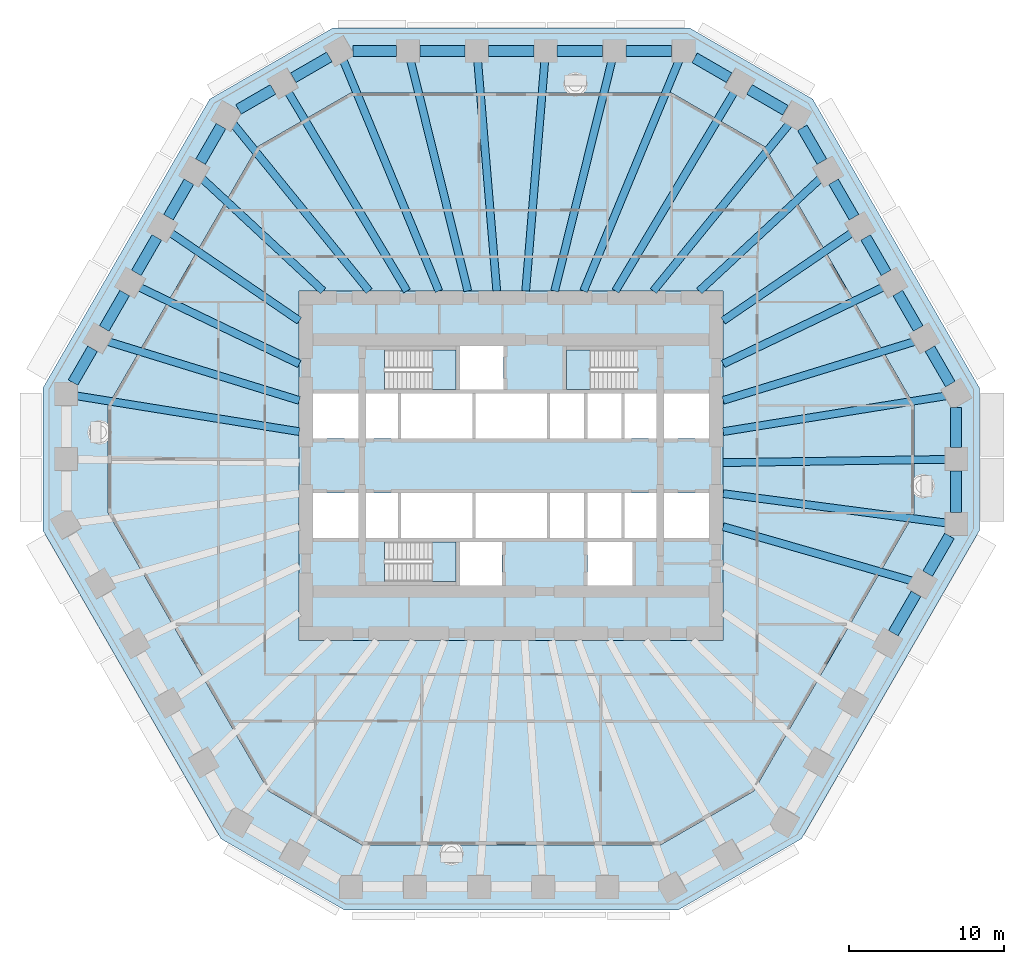
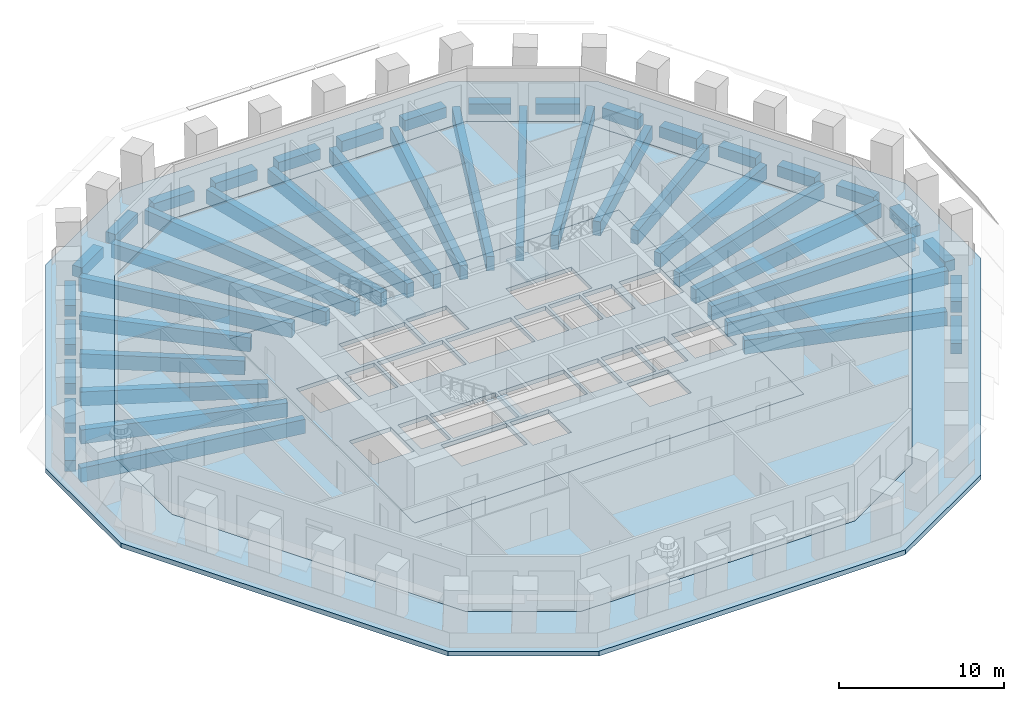
# One storey, part 2 of 13: 46 beams, 6 slabs, 3 elements without a shape of their own.
"""IFC4 building model written with IfcOpenShell, lengths in metres."""

import ifcopenshell
import ifcopenshell.guid

model = None  # the IFC model being written
_history = None  # IfcOwnerHistory: only IFC2X3 demands one
_inside = {}  # id of a spatial element -> (the spatial element, [elements in it])
_under = {}  # id of a project, library or spatial element -> (it, [spatial elements below it])
_declared = {}  # id of a project -> (the project, [libraries it declares])
_typed = {}  # id of a type object -> (the type object, [elements of that type])
_made_of = {}  # id of a material, layer set ... -> (it, [elements and type objects made of it])


def new_model(schema):
    """Start an empty IFC model of exactly this schema.

    Asked for "IFC4X3", IfcOpenShell would pick the latest addendum, in which some entities
    have other attributes; the version numbers below select the first issue.
    IFC2X3 requires an IfcOwnerHistory on every rooted entity: one is made here for all.
    """
    global model, _history
    if schema == "IFC4X3":
        model = ifcopenshell.file(schema_version=(4, 3, 0, 0))
    else:
        model = ifcopenshell.file(schema=schema)
    _inside.clear()
    _under.clear()
    _declared.clear()
    _typed.clear()
    _made_of.clear()
    _history = None
    if model.schema == "IFC2X3":
        org = make("IfcOrganization", Name="unknown")
        user = make(
            "IfcPersonAndOrganization",
            ThePerson=make("IfcPerson", FamilyName="unknown"),
            TheOrganization=org,
        )
        app = make(
            "IfcApplication",
            ApplicationDeveloper=org,
            Version="unknown",
            ApplicationFullName="unknown",
            ApplicationIdentifier="unknown",
        )
        _history = make(
            "IfcOwnerHistory",
            OwningUser=user,
            OwningApplication=app,
            ChangeAction="ADDED",
            CreationDate=0,
        )
    return model


def make(cls, **values):
    """One entity of the class cls with the attributes given. An attribute that is None is left unset."""
    return model.create_entity(
        cls, **{name: value for name, value in values.items() if value is not None}
    )


def rooted(cls, **values):
    """An entity with a GlobalId (a new one), such as an element, a storey or a relation."""
    return make(cls, GlobalId=ifcopenshell.guid.new(), OwnerHistory=_history, **values)


def si_unit(unit_type, name, prefix=None):
    """IfcSIUnit, for example si_unit("LENGTHUNIT", "METRE", prefix="MILLI")."""
    return make("IfcSIUnit", UnitType=unit_type, Prefix=prefix, Name=name)


def assignment(units):
    """IfcUnitAssignment: the units of a project."""
    return None if units is None else make("IfcUnitAssignment", Units=units)


def point(xyz):
    """IfcCartesianPoint."""
    return None if xyz is None else make("IfcCartesianPoint", Coordinates=xyz)


def direction(xyz):
    """IfcDirection."""
    return None if xyz is None else make("IfcDirection", DirectionRatios=xyz)


def frame(location, z_axis=None, x_axis=None):
    """IfcAxis2Placement3D, a coordinate frame: its origin and axes. An axis left out is left unset."""
    return make(
        "IfcAxis2Placement3D",
        Location=point(location),
        Axis=direction(z_axis),
        RefDirection=direction(x_axis),
    )


def frame_2d(location, x_axis=None):
    """IfcAxis2Placement2D, a coordinate frame in the plane: its origin and x axis."""
    return make(
        "IfcAxis2Placement2D", Location=point(location), RefDirection=direction(x_axis)
    )


def origin():
    """The frame at (0, 0, 0) with its axes left unset."""
    return frame((0.0, 0.0, 0.0))


def origin_2d():
    """The frame at (0, 0) in the plane with its x axis left unset."""
    return frame_2d((0.0, 0.0))


def place(relative_to, where):
    """IfcLocalPlacement: puts the frame where relative to a parent placement (None: the world)."""
    return make(
        "IfcLocalPlacement", PlacementRelTo=relative_to, RelativePlacement=where
    )


def context(
    kind, dimensions, precision=None, world=None, true_north=None, identifier=None
):
    """IfcGeometricRepresentationContext, for example the 3D "Model" context."""
    return make(
        "IfcGeometricRepresentationContext",
        ContextIdentifier=identifier,
        ContextType=kind,
        CoordinateSpaceDimension=dimensions,
        Precision=precision,
        WorldCoordinateSystem=world,
        TrueNorth=true_north,
    )


def subcontext(parent, identifier, kind, view, scale=None):
    """IfcGeometricRepresentationSubContext, for example "Body" below "Model"."""
    return make(
        "IfcGeometricRepresentationSubContext",
        ContextIdentifier=identifier,
        ContextType=kind,
        ParentContext=parent,
        TargetScale=scale,
        TargetView=view,
    )


def project(units=None, contexts=None):
    """IfcProject with its units and contexts."""
    return rooted(
        "IfcProject",
        Name="project",
        RepresentationContexts=contexts,
        UnitsInContext=assignment(units),
    )


def spatial(cls, under=None, at=None, **own):
    """A site, building, storey or space (cls), placed at a placement, below another one or the project."""
    s = rooted(cls, ObjectPlacement=at, **own)
    if under is not None:
        _under.setdefault(under.id(), (under, []))[1].append(s)
    return s


def polyline(points):
    """IfcPolyline through the points."""
    return make("IfcPolyline", Points=[point(p) for p in points])


def profile(cls, at=None, kind="AREA", **sizes):
    """A parametric profile (cls). Its sizes go by their IFC names, for example OverallWidth=200.0."""
    return make(cls, ProfileType=kind, Position=at, **sizes)


def rectangle(**sizes):
    """IfcRectangleProfileDef."""
    return profile("IfcRectangleProfileDef", **sizes)


def outline(outer, holes=None, kind="AREA"):
    """IfcArbitraryClosedProfileDef: a profile drawn as a closed curve; with holes, ...WithVoids."""
    if holes is None:
        return make("IfcArbitraryClosedProfileDef", ProfileType=kind, OuterCurve=outer)
    return make(
        "IfcArbitraryProfileDefWithVoids",
        ProfileType=kind,
        OuterCurve=outer,
        InnerCurves=holes,
    )


def extrude(swept, where, along, depth):
    """IfcExtrudedAreaSolid: the profile swept, set in the frame where, extruded along a direction by depth."""
    return make(
        "IfcExtrudedAreaSolid",
        SweptArea=swept,
        Position=where,
        ExtrudedDirection=direction(along),
        Depth=depth,
    )


def shape(context_of_items, identifier, shape_type, items):
    """IfcShapeRepresentation: the items that make up one representation, for example the "Body"."""
    return make(
        "IfcShapeRepresentation",
        ContextOfItems=context_of_items,
        RepresentationIdentifier=identifier,
        RepresentationType=shape_type,
        Items=items,
    )


def material(Name=None, Category=None):
    """IfcMaterial."""
    return make("IfcMaterial", Name=Name, Category=Category)


def layer(
    of_material, thickness, ventilated=None, Name=None, Category=None, Priority=None
):
    """IfcMaterialLayer: one layer of a wall or slab, of a material (None: an air gap)."""
    return make(
        "IfcMaterialLayer",
        Material=of_material,
        LayerThickness=thickness,
        IsVentilated=ventilated,
        Name=Name,
        Category=Category,
        Priority=Priority,
    )


def layer_set(layers, Name=None):
    """IfcMaterialLayerSet."""
    return make("IfcMaterialLayerSet", MaterialLayers=layers, LayerSetName=Name)


def material_profile(
    of_material, cross_section, Name=None, Category=None, Priority=None
):
    """IfcMaterialProfile: a cross section and its material."""
    return make(
        "IfcMaterialProfile",
        Name=Name,
        Material=of_material,
        Profile=cross_section,
        Priority=Priority,
        Category=Category,
    )


def profile_set(profiles, Name=None, composite=None):
    """IfcMaterialProfileSet."""
    return make(
        "IfcMaterialProfileSet",
        Name=Name,
        MaterialProfiles=profiles,
        CompositeProfile=composite,
    )


def made_of(thing, what):
    """Note that an element or type object is made of a material, layer set ...; save() writes the relation."""
    if what is not None:
        _made_of.setdefault(what.id(), (what, []))[1].append(thing)
    return thing


def type_object(cls, material=None, **own):
    """A type object (cls), such as IfcWallType, which elements share."""
    return made_of(rooted(cls, **own), material)


def element(
    cls,
    number,
    at=None,
    inside=None,
    cuts=None,
    type_object=None,
    material=None,
    context=None,
    identifier="Body",
    shape_type=None,
    held_by="IfcProductDefinitionShape",
    body=None,
    shapes=None,
    **own,
):
    """One element of the class cls, such as IfcWall. Its Tag is "e" and its number.

    at: its placement. inside: the storey or other place that contains it. cuts: it is an
    opening in that element (IfcRelVoidsElement). A single representation is given by context,
    identifier, shape_type and body (its items); several are given by shapes. held_by: the class
    of the entity that holds the representations. save() writes the other relations.
    """
    e = rooted(cls, Tag="e%d" % number, ObjectPlacement=at, **own)
    if body is not None:
        shapes = [shape(context, identifier, shape_type, body)]
    if shapes is not None:
        e.Representation = make(held_by, Representations=shapes)
    if inside is not None:
        _inside.setdefault(inside.id(), (inside, []))[1].append(e)
    if cuts is not None:
        rooted(
            "IfcRelVoidsElement", RelatingBuildingElement=cuts, RelatedOpeningElement=e
        )
    if type_object is not None:
        _typed.setdefault(type_object.id(), (type_object, []))[1].append(e)
    return made_of(e, material)


def aggregate(whole, parts):
    """IfcRelAggregates: a whole, such as a stair, and the parts it consists of."""
    return rooted("IfcRelAggregates", RelatingObject=whole, RelatedObjects=parts)


def save(model, path):
    """Write the relations noted so far, then the file.

    IfcRelAggregates (storeys below a building ...), IfcRelContainedInSpatialStructure (elements
    in a storey), IfcRelDefinesByType, IfcRelAssociatesMaterial and IfcRelDeclares: one each for
    every whole, place, type object, material and project.
    """
    for whole, parts in _under.values():
        aggregate(whole, parts)
    for where, things in _inside.values():
        rooted(
            "IfcRelContainedInSpatialStructure",
            RelatedElements=things,
            RelatingStructure=where,
        )
    for kind, things in _typed.values():
        rooted("IfcRelDefinesByType", RelatedObjects=things, RelatingType=kind)
    for what, things in _made_of.values():
        rooted("IfcRelAssociatesMaterial", RelatedObjects=things, RelatingMaterial=what)
    for by, libraries in _declared.values():
        rooted("IfcRelDeclares", RelatingContext=by, RelatedDefinitions=libraries)
    model.write(path)


model = new_model("IFC4")

# Units and contexts
model_context = context("Model", 3, precision=1e-05, world=origin(), true_north=direction((0.0, 1.0)))
body_context = subcontext(model_context, "Body", "Model", "MODEL_VIEW")
ifc_project = project(units=[si_unit("LENGTHUNIT", "METRE"), si_unit("AREAUNIT", "SQUARE_METRE"), si_unit("VOLUMEUNIT", "CUBIC_METRE"), si_unit("PLANEANGLEUNIT", "RADIAN"), si_unit("MASSUNIT", "GRAM", prefix="KILO")], contexts=[model_context])

# Site, building, storey
site_placement = place(None, origin())
site = spatial("IfcSite", under=ifc_project, at=site_placement, CompositionType="ELEMENT")
building_placement = place(site_placement, origin())
building = spatial("IfcBuilding", under=site, at=building_placement, Name="Frailejon Research Tower", CompositionType="ELEMENT")
storey_placement = place(building_placement, frame((0.0, 0.0, 27.800048828125)))
storey = spatial("IfcBuildingStorey", under=building, at=storey_placement, Name="L06", CompositionType="ELEMENT", Elevation=27.800048828125)

# Beams
ifc_material_1 = material(Name="Concrete C60/75", Category="concrete")
ifc_material_profile_1 = material_profile(ifc_material_1, rectangle(XDim=0.5, YDim=1.050048828125, at=origin_2d()), Name="Girder 500x1050")
ifc_profile_set_1 = profile_set([ifc_material_profile_1], Name="Concrete C60/75")
beam_type_1 = type_object("IfcBeamType", Name="Girder 500x1050", PredefinedType="BEAM", material=ifc_profile_set_1)
beam_1_placement = place(storey_placement, frame((28.051025390625, -3.693603515625, -0.824951171875), z_axis=(-0.99144222034, 0.130546251299, 0.0), x_axis=(-0.130546251299, -0.99144222034, 0.0)))
element("IfcBeam", 1, at=beam_1_placement, inside=storey, type_object=beam_type_1, Name="Girder 500x1050", PredefinedType="BEAM", context=body_context, shape_type="SweptSolid", body=[
    extrude(rectangle(XDim=0.5, YDim=1.050048828125, at=origin_2d()), origin(), (0.0, 0.0, 1.0), 14.525390625),
])
beam_2_placement = place(storey_placement, frame((28.05224609375, 0.406005859375, -0.824951171875), z_axis=(-0.999895231374, -0.014475022505, 0.0), x_axis=(0.014475022505, -0.999895231374, 0.0)))
element("IfcBeam", 2, at=beam_2_placement, inside=storey, type_object=beam_type_1, Name="Girder 500x1050", PredefinedType="BEAM", context=body_context, shape_type="SweptSolid", body=[
    extrude(rectangle(XDim=0.5, YDim=1.050048828125, at=origin_2d()), origin(), (0.0, 0.0, 1.0), 14.40380859375),
])
beam_3_placement = place(storey_placement, frame((28.0078125, 4.498779296875, -0.824951171875), z_axis=(-0.987345115208, -0.158586328146, 0.0), x_axis=(0.158586328146, -0.987345115208, 0.0)))
element("IfcBeam", 3, at=beam_3_placement, inside=storey, type_object=beam_type_1, Name="Girder 500x1050", PredefinedType="BEAM", context=body_context, shape_type="SweptSolid", body=[
    extrude(rectangle(XDim=0.5, YDim=1.050048828125, at=origin_2d()), origin(), (0.0, 0.0, 1.0), 14.5419921875),
])
beam_4_placement = place(storey_placement, frame((25.9921875, 8.002197265625, -0.824951171875), z_axis=(-0.955731580108, -0.294239947636, 0.0), x_axis=(0.294239947636, -0.955731580108, 0.0)))
element("IfcBeam", 4, at=beam_4_placement, inside=storey, type_object=beam_type_1, Name="Girder 500x1050", PredefinedType="BEAM", context=body_context, shape_type="SweptSolid", body=[
    extrude(rectangle(XDim=0.5, YDim=1.050048828125, at=origin_2d()), origin(), (0.0, 0.0, 1.0), 12.9140625),
])
beam_5_placement = place(storey_placement, frame((23.973388671875, 11.505859375, -0.824951171875), z_axis=(-0.901546345368, -0.43268254778, 0.0), x_axis=(0.43268254778, -0.901546345368, 0.0)))
element("IfcBeam", 5, at=beam_5_placement, inside=storey, type_object=beam_type_1, Name="Girder 500x1050", PredefinedType="BEAM", context=body_context, shape_type="SweptSolid", body=[
    extrude(rectangle(XDim=0.5, YDim=1.050048828125, at=origin_2d()), origin(), (0.0, 0.0, 1.0), 11.450927734375),
])
beam_6_placement = place(storey_placement, frame((21.950927734375, 15.008544921875, -0.824951171875), z_axis=(-0.825497778614, -0.564405366296, 0.0), x_axis=(0.564405366296, -0.825497778614, 0.0)))
element("IfcBeam", 6, at=beam_6_placement, inside=storey, type_object=beam_type_1, Name="Girder 500x1050", PredefinedType="BEAM", context=body_context, shape_type="SweptSolid", body=[
    extrude(rectangle(XDim=0.5, YDim=1.050048828125, at=origin_2d()), origin(), (0.0, 0.0, 1.0), 10.0556640625),
])
beam_7_placement = place(storey_placement, frame((19.92626953125, 18.5087890625, -0.824951171875), z_axis=(-0.732686683406, -0.680566105503, 0.0), x_axis=(0.680566105503, -0.732686683406, 0.0)))
element("IfcBeam", 7, at=beam_7_placement, inside=storey, type_object=beam_type_1, Name="Girder 500x1050", PredefinedType="BEAM", context=body_context, shape_type="SweptSolid", body=[
    extrude(rectangle(XDim=0.5, YDim=1.050048828125, at=origin_2d()), origin(), (0.0, 0.0, 1.0), 10.665771484375),
])
beam_8_placement = place(storey_placement, frame((17.92724609375, 22.03955078125, -0.824951171875), z_axis=(-0.631019435024, -0.775767022128, 0.0), x_axis=(0.775767022128, -0.631019435024, 0.0)))
element("IfcBeam", 8, at=beam_8_placement, inside=storey, type_object=beam_type_1, Name="Girder 500x1050", PredefinedType="BEAM", context=body_context, shape_type="SweptSolid", body=[
    extrude(rectangle(XDim=0.5, YDim=1.050048828125, at=origin_2d()), origin(), (0.0, 0.0, 1.0), 13.908203125),
])
beam_9_placement = place(storey_placement, frame((14.3779296875, 24.0908203125, -0.824951171875), z_axis=(-0.5124944018, -0.858690565992, 0.0), x_axis=(0.858690565992, -0.5124944018, 0.0)))
element("IfcBeam", 9, at=beam_9_placement, inside=storey, type_object=beam_type_1, Name="Girder 500x1050", PredefinedType="BEAM", context=body_context, shape_type="SweptSolid", body=[
    extrude(rectangle(XDim=0.5, YDim=1.050048828125, at=origin_2d()), origin(), (0.0, 0.0, 1.0), 14.953857421875),
])
beam_10_placement = place(storey_placement, frame((10.8056640625, 26.088623046875, -0.824951171875), z_axis=(-0.382664150531, -0.923887519073, 0.0), x_axis=(0.923887519073, -0.382664150531, 0.0)))
element("IfcBeam", 10, at=beam_10_placement, inside=storey, type_object=beam_type_1, Name="Girder 500x1050", PredefinedType="BEAM", context=body_context, shape_type="SweptSolid", body=[
    extrude(rectangle(XDim=0.5, YDim=1.050048828125, at=origin_2d()), origin(), (0.0, 0.0, 1.0), 16.06103515625),
])
beam_11_placement = place(storey_placement, frame((6.485107421875, 26.095703125, -0.824951171875), z_axis=(-0.241168474721, -0.970483264565, 0.0), x_axis=(0.970483264565, -0.241168474721, 0.0)))
element("IfcBeam", 11, at=beam_11_placement, inside=storey, type_object=beam_type_1, Name="Girder 500x1050", PredefinedType="BEAM", context=body_context, shape_type="SweptSolid", body=[
    extrude(rectangle(XDim=0.5, YDim=1.050048828125, at=origin_2d()), origin(), (0.0, 0.0, 1.0), 15.297119140625),
])
for number, where, z_axis, x_axis, name in (
    (12, (2.162109375, 26.099609375, -0.824951171875), (-0.082562741556, -0.996585868707, 0.0), (0.996585868707, -0.082562741556, 0.0), "Girder 500x1050"),
    (13, (-2.162109375, 26.099609375, -0.824951171875), (0.082562741556, -0.996585868707, 0.0), (0.996585868707, 0.082562741556, 0.0), "Girder 500x1050"),
):
    element("IfcBeam", number, at=place(storey_placement, frame(where, z_axis=z_axis, x_axis=x_axis)), inside=storey, type_object=beam_type_1, Name=name, PredefinedType="BEAM", context=body_context, shape_type="SweptSolid", body=[
        extrude(rectangle(XDim=0.5, YDim=1.050048828125, at=origin_2d()), origin(), (0.0, 0.0, 1.0), 14.900390625),
    ])
beam_12_placement = place(storey_placement, frame((-6.485107421875, 26.095703125, -0.824951171875), z_axis=(0.241168474721, -0.970483264565, 0.0), x_axis=(0.970483264565, 0.241168474721, 0.0)))
element("IfcBeam", 14, at=beam_12_placement, inside=storey, type_object=beam_type_1, Name="Girder 500x1050", PredefinedType="BEAM", context=body_context, shape_type="SweptSolid", body=[
    extrude(rectangle(XDim=0.5, YDim=1.050048828125, at=origin_2d()), origin(), (0.0, 0.0, 1.0), 15.297119140625),
])
beam_13_placement = place(storey_placement, frame((-10.826904296875, 26.1396484375, -0.824951171875), z_axis=(0.382669768467, -0.923885192165, 0.0), x_axis=(0.923885192165, 0.382669768467, 0.0)))
element("IfcBeam", 15, at=beam_13_placement, inside=storey, type_object=beam_type_1, Name="Girder 500x1050", PredefinedType="BEAM", context=body_context, shape_type="SweptSolid", body=[
    extrude(rectangle(XDim=0.5, YDim=1.050048828125, at=origin_2d()), origin(), (0.0, 0.0, 1.0), 16.116455078125),
])
beam_14_placement = place(storey_placement, frame((-14.3779296875, 24.0908203125, -0.824951171875), z_axis=(0.5124944018, -0.858690565992, 0.0), x_axis=(0.858690565992, 0.5124944018, 0.0)))
element("IfcBeam", 16, at=beam_14_placement, inside=storey, type_object=beam_type_1, Name="Girder 500x1050", PredefinedType="BEAM", context=body_context, shape_type="SweptSolid", body=[
    extrude(rectangle(XDim=0.5, YDim=1.050048828125, at=origin_2d()), origin(), (0.0, 0.0, 1.0), 14.953857421875),
])
beam_15_placement = place(storey_placement, frame((-17.89990234375, 22.006103515625, -0.824951171875), z_axis=(0.631013475918, -0.775771869308, 0.0), x_axis=(0.775771869308, 0.631013475918, 0.0)))
element("IfcBeam", 17, at=beam_15_placement, inside=storey, type_object=beam_type_1, Name="Girder 500x1050", PredefinedType="BEAM", context=body_context, shape_type="SweptSolid", body=[
    extrude(rectangle(XDim=0.5, YDim=1.050048828125, at=origin_2d()), origin(), (0.0, 0.0, 1.0), 13.864990234375),
])
beam_16_placement = place(storey_placement, frame((-19.92626953125, 18.5087890625, -0.824951171875), z_axis=(0.732686683406, -0.680566105503, 0.0), x_axis=(0.680566105503, 0.732686683406, 0.0)))
element("IfcBeam", 18, at=beam_16_placement, inside=storey, type_object=beam_type_1, Name="Girder 500x1050", PredefinedType="BEAM", context=body_context, shape_type="SweptSolid", body=[
    extrude(rectangle(XDim=0.5, YDim=1.050048828125, at=origin_2d()), origin(), (0.0, 0.0, 1.0), 10.665771484375),
])
beam_17_placement = place(storey_placement, frame((-21.950927734375, 15.008544921875, -0.824951171875), z_axis=(0.825497778614, -0.564405366296, 0.0), x_axis=(0.564405366296, 0.825497778614, 0.0)))
element("IfcBeam", 19, at=beam_17_placement, inside=storey, type_object=beam_type_1, Name="Girder 500x1050", PredefinedType="BEAM", context=body_context, shape_type="SweptSolid", body=[
    extrude(rectangle(XDim=0.5, YDim=1.050048828125, at=origin_2d()), origin(), (0.0, 0.0, 1.0), 10.0556640625),
])
beam_18_placement = place(storey_placement, frame((-23.973388671875, 11.505859375, -0.824951171875), z_axis=(0.901546345368, -0.43268254778, 0.0), x_axis=(0.43268254778, 0.901546345368, 0.0)))
element("IfcBeam", 20, at=beam_18_placement, inside=storey, type_object=beam_type_1, Name="Girder 500x1050", PredefinedType="BEAM", context=body_context, shape_type="SweptSolid", body=[
    extrude(rectangle(XDim=0.5, YDim=1.050048828125, at=origin_2d()), origin(), (0.0, 0.0, 1.0), 11.450927734375),
])
beam_19_placement = place(storey_placement, frame((-25.9921875, 8.002197265625, -0.824951171875), z_axis=(0.955731580108, -0.294239947636, 0.0), x_axis=(0.294239947636, 0.955731580108, 0.0)))
element("IfcBeam", 21, at=beam_19_placement, inside=storey, type_object=beam_type_1, Name="Girder 500x1050", PredefinedType="BEAM", context=body_context, shape_type="SweptSolid", body=[
    extrude(rectangle(XDim=0.5, YDim=1.050048828125, at=origin_2d()), origin(), (0.0, 0.0, 1.0), 12.9140625),
])
beam_20_placement = place(storey_placement, frame((-28.05029296875, 4.505615234375, -0.824951171875), z_axis=(0.987344978118, -0.158587181654, 0.0), x_axis=(0.158587181654, 0.987344978118, 0.0)))
element("IfcBeam", 22, at=beam_20_placement, inside=storey, type_object=beam_type_1, Name="Girder 500x1050", PredefinedType="BEAM", context=body_context, shape_type="SweptSolid", body=[
    extrude(rectangle(XDim=0.5, YDim=1.050048828125, at=origin_2d()), origin(), (0.0, 0.0, 1.0), 14.5849609375),
])
beam_21_placement = place(storey_placement, frame((25.841796875, -7.431396484375, -0.824951171875), z_axis=(-0.961049753926, 0.276375415838, 0.0), x_axis=(-0.276375415838, -0.961049753926, 0.0)))
element("IfcBeam", 23, at=beam_21_placement, inside=storey, type_object=beam_type_1, Name="Girder 500x1050", PredefinedType="BEAM", context=body_context, shape_type="SweptSolid", body=[
    extrude(rectangle(XDim=0.5, YDim=1.050048828125, at=origin_2d()), origin(), (0.0, 0.0, 1.0), 12.68603515625),
])
ifc_material_2 = material(Name="Concrete C60/75", Category="concrete")
ifc_material_profile_2 = material_profile(ifc_material_2, rectangle(XDim=0.699951171875, YDim=0.800048828125, at=origin_2d()), Name="Spandrel 700x800")
ifc_profile_set_2 = profile_set([ifc_material_profile_2], Name="Concrete C60/75")
beam_type_2 = type_object("IfcBeamType", Name="Spandrel 700x800", PredefinedType="BEAM", material=ifc_profile_set_2)
beam_22_placement = place(storey_placement, frame((28.65234375, -3.022705078125, -0.75), z_axis=(0.0, 1.0, 0.0), x_axis=(-1.0, 0.0, 0.0)))
element("IfcBeam", 24, at=beam_22_placement, inside=storey, type_object=beam_type_2, Name="Spandrel 700x800", PredefinedType="BEAM", context=body_context, shape_type="SweptSolid", body=[
    extrude(rectangle(XDim=0.699951171875, YDim=0.800048828125, at=origin_2d()), origin(), (0.0, 0.0, 1.0), 2.6875),
])
beam_23_placement = place(storey_placement, frame((28.65234375, 1.164794921875, -0.75), z_axis=(0.0, 1.0, 0.0), x_axis=(-1.0, 0.0, 0.0)))
element("IfcBeam", 25, at=beam_23_placement, inside=storey, type_object=beam_type_2, Name="Spandrel 700x800", PredefinedType="BEAM", context=body_context, shape_type="SweptSolid", body=[
    extrude(rectangle(XDim=0.699951171875, YDim=0.800048828125, at=origin_2d()), origin(), (0.0, 0.0, 1.0), 2.571533203125),
])
for number, where, z_axis, x_axis, name in (
    (26, (28.27734375, 5.251953125, -0.75), (-0.500013727357, 0.866017478146, 0.0), (-0.866017478146, -0.500013727357, 0.0), "Spandrel 700x800"),
    (27, (26.209228515625, 8.833984375, -0.75), (-0.500013727357, 0.866017478146, 0.0), (-0.866017478146, -0.500013727357, 0.0), "Spandrel 700x800"),
    (28, (24.14111328125, 12.416015625, -0.75), (-0.500013727357, 0.866017478146, 0.0), (-0.866017478146, -0.500013727357, 0.0), "Spandrel 700x800"),
):
    element("IfcBeam", number, at=place(storey_placement, frame(where, z_axis=z_axis, x_axis=x_axis)), inside=storey, type_object=beam_type_2, Name=name, PredefinedType="BEAM", context=body_context, shape_type="SweptSolid", body=[
        extrude(rectangle(XDim=0.699951171875, YDim=0.800048828125, at=origin_2d()), origin(), (0.0, 0.0, 1.0), 2.63623046875),
    ])
beam_24_placement = place(storey_placement, frame((22.072998046875, 15.997802734375, -0.75), z_axis=(-0.499973627007, 0.866040629704, 0.0), x_axis=(-0.866040629704, -0.499973627007, 0.0)))
element("IfcBeam", 29, at=beam_24_placement, inside=storey, type_object=beam_type_2, Name="Spandrel 700x800", PredefinedType="BEAM", context=body_context, shape_type="SweptSolid", body=[
    extrude(rectangle(XDim=0.699951171875, YDim=0.800048828125, at=origin_2d()), origin(), (0.0, 0.0, 1.0), 2.636474609375),
])
beam_25_placement = place(storey_placement, frame((20.0048828125, 19.579833984375, -0.75), z_axis=(-0.499962843328, 0.866046855136, 0.0), x_axis=(-0.866046855136, -0.499962843328, 0.0)))
element("IfcBeam", 30, at=beam_25_placement, inside=storey, type_object=beam_type_2, Name="Spandrel 700x800", PredefinedType="BEAM", context=body_context, shape_type="SweptSolid", body=[
    extrude(rectangle(XDim=0.699951171875, YDim=0.800048828125, at=origin_2d()), origin(), (0.0, 0.0, 1.0), 2.520263671875),
])
beam_26_placement = place(storey_placement, frame((17.662353515625, 22.887451171875, -0.75), z_axis=(-0.866020687897, 0.500008168067, 0.0), x_axis=(-0.500008168067, -0.866020687897, 0.0)))
element("IfcBeam", 31, at=beam_26_placement, inside=storey, type_object=beam_type_2, Name="Spandrel 700x800", PredefinedType="BEAM", context=body_context, shape_type="SweptSolid", body=[
    extrude(rectangle(XDim=0.699951171875, YDim=0.800048828125, at=origin_2d()), origin(), (0.0, 0.0, 1.0), 2.6875),
])
beam_27_placement = place(storey_placement, frame((14.035888671875, 24.981201171875, -0.75), z_axis=(-0.866008514048, 0.50002925274, 0.0), x_axis=(-0.50002925274, -0.866008514048, 0.0)))
element("IfcBeam", 32, at=beam_27_placement, inside=storey, type_object=beam_type_2, Name="Spandrel 700x800", PredefinedType="BEAM", context=body_context, shape_type="SweptSolid", body=[
    extrude(rectangle(XDim=0.699951171875, YDim=0.800048828125, at=origin_2d()), origin(), (0.0, 0.0, 1.0), 2.571533203125),
])
beam_28_placement = place(storey_placement, frame((10.308837890625, 26.699951171875, -0.75), z_axis=(-1.0, 0.0, 0.0), x_axis=(0.0, -1.0, 0.0)))
element("IfcBeam", 33, at=beam_28_placement, inside=storey, type_object=beam_type_2, Name="Spandrel 700x800", PredefinedType="BEAM", context=body_context, shape_type="SweptSolid", body=[
    extrude(rectangle(XDim=0.699951171875, YDim=0.800048828125, at=origin_2d()), origin(), (0.0, 0.0, 1.0), 2.923583984375),
])
beam_29_placement = place(storey_placement, frame((5.88525390625, 26.699951171875, -0.75), z_axis=(-1.0, 0.0, 0.0), x_axis=(0.0, -1.0, 0.0)))
element("IfcBeam", 34, at=beam_29_placement, inside=storey, type_object=beam_type_2, Name="Spandrel 700x800", PredefinedType="BEAM", context=body_context, shape_type="SweptSolid", body=[
    extrude(rectangle(XDim=0.699951171875, YDim=0.800048828125, at=origin_2d()), origin(), (0.0, 0.0, 1.0), 2.92333984375),
])
beam_30_placement = place(storey_placement, frame((1.4619140625, 26.699951171875, -0.75), z_axis=(-1.0, 0.0, 0.0), x_axis=(0.0, -1.0, 0.0)))
element("IfcBeam", 35, at=beam_30_placement, inside=storey, type_object=beam_type_2, Name="Spandrel 700x800", PredefinedType="BEAM", context=body_context, shape_type="SweptSolid", body=[
    extrude(rectangle(XDim=0.699951171875, YDim=0.800048828125, at=origin_2d()), origin(), (0.0, 0.0, 1.0), 2.923828125),
])
beam_31_placement = place(storey_placement, frame((-2.9619140625, 26.699951171875, -0.75), z_axis=(-1.0, 0.0, 0.0), x_axis=(0.0, -1.0, 0.0)))
element("IfcBeam", 36, at=beam_31_placement, inside=storey, type_object=beam_type_2, Name="Spandrel 700x800", PredefinedType="BEAM", context=body_context, shape_type="SweptSolid", body=[
    extrude(rectangle(XDim=0.699951171875, YDim=0.800048828125, at=origin_2d()), origin(), (0.0, 0.0, 1.0), 2.92333984375),
])
beam_32_placement = place(storey_placement, frame((-7.38525390625, 26.699951171875, -0.75), z_axis=(-1.0, 0.0, 0.0), x_axis=(0.0, -1.0, 0.0)))
element("IfcBeam", 37, at=beam_32_placement, inside=storey, type_object=beam_type_2, Name="Spandrel 700x800", PredefinedType="BEAM", context=body_context, shape_type="SweptSolid", body=[
    extrude(rectangle(XDim=0.699951171875, YDim=0.800048828125, at=origin_2d()), origin(), (0.0, 0.0, 1.0), 2.8076171875),
])
beam_33_placement = place(storey_placement, frame((-11.70849609375, 26.324951171875, -0.75), z_axis=(-0.866020687897, -0.500008168067, 0.0), x_axis=(0.500008168067, -0.866020687897, 0.0)))
element("IfcBeam", 38, at=beam_33_placement, inside=storey, type_object=beam_type_2, Name="Spandrel 700x800", PredefinedType="BEAM", context=body_context, shape_type="SweptSolid", body=[
    extrude(rectangle(XDim=0.699951171875, YDim=0.800048828125, at=origin_2d()), origin(), (0.0, 0.0, 1.0), 2.6875),
])
beam_34_placement = place(storey_placement, frame((-15.3349609375, 24.231201171875, -0.75), z_axis=(-0.866008514048, -0.50002925274, 0.0), x_axis=(0.50002925274, -0.866008514048, 0.0)))
element("IfcBeam", 39, at=beam_34_placement, inside=storey, type_object=beam_type_2, Name="Spandrel 700x800", PredefinedType="BEAM", context=body_context, shape_type="SweptSolid", body=[
    extrude(rectangle(XDim=0.699951171875, YDim=0.800048828125, at=origin_2d()), origin(), (0.0, 0.0, 1.0), 2.571533203125),
])
beam_35_placement = place(storey_placement, frame((-18.68701171875, 21.86279296875, -0.75), z_axis=(-0.499944264589, -0.866057580247, 0.0), x_axis=(0.866057580247, -0.499944264589, 0.0)))
element("IfcBeam", 40, at=beam_35_placement, inside=storey, type_object=beam_type_2, Name="Spandrel 700x800", PredefinedType="BEAM", context=body_context, shape_type="SweptSolid", body=[
    extrude(rectangle(XDim=0.699951171875, YDim=0.800048828125, at=origin_2d()), origin(), (0.0, 0.0, 1.0), 2.635986328125),
])
beam_36_placement = place(storey_placement, frame((-20.7548828125, 18.281005859375, -0.75), z_axis=(-0.499973627007, -0.866040629704, 0.0), x_axis=(0.866040629704, -0.499973627007, 0.0)))
element("IfcBeam", 41, at=beam_36_placement, inside=storey, type_object=beam_type_2, Name="Spandrel 700x800", PredefinedType="BEAM", context=body_context, shape_type="SweptSolid", body=[
    extrude(rectangle(XDim=0.699951171875, YDim=0.800048828125, at=origin_2d()), origin(), (0.0, 0.0, 1.0), 2.636474609375),
])
for number, where, z_axis, x_axis, name in (
    (42, (-22.822998046875, 14.698974609375, -0.75), (-0.500013727357, -0.866017478146, 0.0), (0.866017478146, -0.500013727357, 0.0), "Spandrel 700x800"),
    (43, (-24.89111328125, 11.116943359375, -0.75), (-0.500013727357, -0.866017478146, 0.0), (0.866017478146, -0.500013727357, 0.0), "Spandrel 700x800"),
):
    element("IfcBeam", number, at=place(storey_placement, frame(where, z_axis=z_axis, x_axis=x_axis)), inside=storey, type_object=beam_type_2, Name=name, PredefinedType="BEAM", context=body_context, shape_type="SweptSolid", body=[
        extrude(rectangle(XDim=0.699951171875, YDim=0.800048828125, at=origin_2d()), origin(), (0.0, 0.0, 1.0), 2.63623046875),
    ])
beam_37_placement = place(storey_placement, frame((-26.959228515625, 7.534912109375, -0.75), z_axis=(-0.499962843328, -0.866046855136, 0.0), x_axis=(0.866046855136, -0.499962843328, 0.0)))
element("IfcBeam", 44, at=beam_37_placement, inside=storey, type_object=beam_type_2, Name="Spandrel 700x800", PredefinedType="BEAM", context=body_context, shape_type="SweptSolid", body=[
    extrude(rectangle(XDim=0.699951171875, YDim=0.800048828125, at=origin_2d()), origin(), (0.0, 0.0, 1.0), 2.520263671875),
])
beam_38_placement = place(storey_placement, frame((24.603759765625, -10.784912109375, -0.75), z_axis=(0.499992340283, 0.866029826079, 0.0), x_axis=(-0.866029826079, 0.499992340283, 0.0)))
element("IfcBeam", 45, at=beam_38_placement, inside=storey, type_object=beam_type_2, Name="Spandrel 700x800", PredefinedType="BEAM", context=body_context, shape_type="SweptSolid", body=[
    extrude(rectangle(XDim=0.699951171875, YDim=0.800048828125, at=origin_2d()), origin(), (0.0, 0.0, 1.0), 2.92333984375),
])
beam_39_placement = place(storey_placement, frame((26.8154296875, -6.9541015625, -0.75), z_axis=(0.500011000363, 0.866019052629, 0.0), x_axis=(-0.866019052629, 0.500011000363, 0.0)))
element("IfcBeam", 46, at=beam_39_placement, inside=storey, type_object=beam_type_2, Name="Spandrel 700x800", PredefinedType="BEAM", context=body_context, shape_type="SweptSolid", body=[
    extrude(rectangle(XDim=0.699951171875, YDim=0.800048828125, at=origin_2d()), origin(), (0.0, 0.0, 1.0), 2.8076171875),
])

# Slabs
ifc_material_3 = material(Name="Concrete C70/85", Category="concrete")
ifc_layer_1 = layer(ifc_material_3, 0.300048828125)
ifc_layer_set_1 = layer_set([ifc_layer_1], Name="Core floor slab 300 C70/85")
slab_type_1 = type_object("IfcSlabType", Name="Core floor slab 300 C70/85", PredefinedType="FLOOR", material=ifc_layer_set_1)
slab_1_placement = place(storey_placement, frame((0.0, 0.0, -0.300048828125)))
element("IfcSlab", 47, at=slab_1_placement, inside=storey, type_object=slab_type_1, Name="Core floor slab", PredefinedType="FLOOR", context=body_context, shape_type="SweptSolid", body=[
    extrude(outline(polyline([(13.64990234375, -11.25), (13.64990234375, 11.25), (-13.64990234375, 11.25), (-13.64990234375, -11.25), (13.64990234375, -11.25)]), holes=[polyline([(-9.85009765625, 1.75), (-9.85009765625, 4.64990234375), (-12.75, 4.64990234375), (-12.75, 1.75), (-9.85009765625, 1.75)]), polyline([(-7.300048828125, 1.75), (-7.300048828125, 4.64990234375), (-9.35009765625, 4.64990234375), (-9.35009765625, 1.75), (-7.300048828125, 1.75)]), polyline([(-2.5, 1.75), (-2.5, 4.64990234375), (-7.10009765625, 4.64990234375), (-7.10009765625, 1.75), (-2.5, 1.75)]), polyline([(2.300048828125, 1.75), (2.300048828125, 4.64990234375), (-2.300048828125, 4.64990234375), (-2.300048828125, 1.75), (2.300048828125, 1.75)]), polyline([(4.699951171875, 1.75), (4.699951171875, 4.64990234375), (2.5, 4.64990234375), (2.5, 1.75), (4.699951171875, 1.75)]), polyline([(7.10009765625, 1.75), (7.10009765625, 4.64990234375), (4.89990234375, 4.64990234375), (4.89990234375, 1.75), (7.10009765625, 1.75)]), polyline([(9.35009765625, 1.75), (9.35009765625, 4.64990234375), (7.300048828125, 4.64990234375), (7.300048828125, 1.75), (9.35009765625, 1.75)]), polyline([(12.75, 1.75), (12.75, 4.64990234375), (9.85009765625, 4.64990234375), (9.85009765625, 1.75), (12.75, 1.75)]), polyline([(-9.85009765625, -4.64990234375), (-9.85009765625, -1.75), (-12.75, -1.75), (-12.75, -4.64990234375), (-9.85009765625, -4.64990234375)]), polyline([(-7.300048828125, -4.64990234375), (-7.300048828125, -1.75), (-9.35009765625, -1.75), (-9.35009765625, -4.64990234375), (-7.300048828125, -4.64990234375)]), polyline([(-2.5, -4.64990234375), (-2.5, -1.75), (-7.10009765625, -1.75), (-7.10009765625, -4.64990234375), (-2.5, -4.64990234375)]), polyline([(2.300048828125, -4.64990234375), (2.300048828125, -1.75), (-2.300048828125, -1.75), (-2.300048828125, -4.64990234375), (2.300048828125, -4.64990234375)]), polyline([(4.699951171875, -4.64990234375), (4.699951171875, -1.75), (2.5, -1.75), (2.5, -4.64990234375), (4.699951171875, -4.64990234375)]), polyline([(7.10009765625, -4.64990234375), (7.10009765625, -1.75), (4.89990234375, -1.75), (4.89990234375, -4.64990234375), (7.10009765625, -4.64990234375)]), polyline([(9.35009765625, -4.64990234375), (9.35009765625, -1.75), (7.300048828125, -1.75), (7.300048828125, -4.64990234375), (9.35009765625, -4.64990234375)]), polyline([(12.75, -4.64990234375), (12.75, -1.75), (9.85009765625, -1.75), (9.85009765625, -4.64990234375), (12.75, -4.64990234375)]), polyline([(-8.14697265625, 4.89990234375), (-3.550048828125, 4.89990234375), (-3.550048828125, 7.449951171875), (-8.14697265625, 7.449951171875), (-8.14697265625, 4.89990234375)]), polyline([(-8.14697265625, -7.449951171875), (-3.550048828125, -7.449951171875), (-3.550048828125, -4.89990234375), (-8.14697265625, -4.89990234375), (-8.14697265625, -7.449951171875)]), polyline([(8.14697265625, 7.449951171875), (3.550048828125, 7.449951171875), (3.550048828125, 4.89990234375), (8.14697265625, 4.89990234375), (8.14697265625, 7.449951171875)]), polyline([(-0.60009765625, -7.699951171875), (-0.60009765625, -4.89990234375), (-3.300048828125, -4.89990234375), (-3.300048828125, -7.699951171875), (-0.60009765625, -7.699951171875)]), polyline([(7.800048828125, -7.699951171875), (7.800048828125, -4.89990234375), (4.89990234375, -4.89990234375), (4.89990234375, -7.699951171875), (7.800048828125, -7.699951171875)]), polyline([(-0.5, 4.89990234375), (-0.5, 7.699951171875), (-3.300048828125, 7.699951171875), (-3.300048828125, 4.89990234375), (-0.5, 4.89990234375)])]), origin(), (0.0, 0.0, 1.0), 0.300048828125),
])
ifc_material_4 = material(Name="Concrete C40/50", Category="concrete")
ifc_layer_2 = layer(ifc_material_4, 0.35009765625)
ifc_layer_set_2 = layer_set([ifc_layer_2], Name="Loggia slab 350")
slab_type_2 = type_object("IfcSlabType", Name="Loggia slab 350", PredefinedType="USERDEFINED", material=ifc_layer_set_2)
slab_2_placement = place(storey_placement, frame((0.0, 0.0, -0.35009765625)))
element("IfcSlab", 48, at=slab_2_placement, inside=storey, type_object=slab_type_2, Name="Loggia slab L06", ObjectType="LOGGIA", PredefinedType="USERDEFINED", context=body_context, shape_type="SweptSolid", body=[
    extrude(outline(polyline([(18.69140625, -24.025390625), (10.7421875, -28.61474609375), (-10.7421875, -28.61474609375), (-18.69140625, -24.025390625), (-30.15234375, -4.1748046875), (-30.15234375, 5.00439453125), (-19.409912109375, 23.610595703125), (-11.460693359375, 28.199951171875), (11.460693359375, 28.199951171875), (19.409912109375, 23.610595703125), (30.15234375, 5.00439453125), (30.15234375, -4.1748046875), (18.69140625, -24.025390625)]), holes=[polyline([(25.952392578125, 3.87890625), (16.33544921875, 20.535888671875), (10.33544921875, 24.0), (-10.33544921875, 24.0), (-16.33544921875, 20.535888671875), (-25.952392578125, 3.87890625), (-25.952392578125, -3.04931640625), (-15.616943359375, -20.95068359375), (-9.616943359375, -24.414794921875), (9.616943359375, -24.414794921875), (15.616943359375, -20.95068359375), (25.952392578125, -3.04931640625), (25.952392578125, 3.87890625)])]), origin(), (0.0, 0.0, 1.0), 0.35009765625),
])
ifc_material_5 = material(Name="Concrete C40/50", Category="concrete")
ifc_layer_3 = layer(ifc_material_5, 0.300048828125)
ifc_layer_set_3 = layer_set([ifc_layer_3], Name="Slab typical 300")
slab_type_3 = type_object("IfcSlabType", Name="Slab typical 300", PredefinedType="FLOOR", material=ifc_layer_set_3)
slab_3_placement = place(storey_placement, frame((0.0, 0.0, -0.300048828125)))
element("IfcSlab", 49, at=slab_3_placement, inside=storey, type_object=slab_type_3, Name="Floor slab L06", PredefinedType="FLOOR", context=body_context, shape_type="SweptSolid", body=[
    extrude(outline(polyline([(25.952392578125, -3.04931640625), (25.952392578125, 3.87890625), (16.33544921875, 20.535888671875), (10.33544921875, 24.0), (-10.33544921875, 24.0), (-16.33544921875, 20.535888671875), (-25.952392578125, 3.87890625), (-25.952392578125, -3.04931640625), (-15.616943359375, -20.95068359375), (-9.616943359375, -24.414794921875), (9.616943359375, -24.414794921875), (15.616943359375, -20.95068359375), (25.952392578125, -3.04931640625)]), holes=[polyline([(13.64990234375, -11.25), (-13.64990234375, -11.25), (-13.64990234375, 11.25), (13.64990234375, 11.25), (13.64990234375, -11.25)])]), origin(), (0.0, 0.0, 1.0), 0.300048828125),
])

# Stair, slab
ifc_material_6 = material(Name="Concrete C50/60", Category="concrete")
stair_type = type_object("IfcStairType", Name="Exit stair 24 risers", PredefinedType="HALF_TURN_STAIR", material=ifc_material_6)
stair_1_placement = place(storey_placement, origin())
stair_1 = element("IfcStair", 50, at=stair_1_placement, inside=storey, type_object=stair_type, Name="L06 Exit stair ST1", PredefinedType="HALF_TURN_STAIR")
ifc_material_7 = material(Name="Concrete C50/60", Category="concrete")
ifc_layer_4 = layer(ifc_material_7, 0.199951171875)
ifc_layer_set_4 = layer_set([ifc_layer_4], Name="Stair landing slab 200")
slab_type_4 = type_object("IfcSlabType", Name="Stair landing slab 200", PredefinedType="LANDING", material=ifc_layer_set_4)
slab_4_placement = place(storey_placement, frame((0.0, 0.0, 2.0)))
slab_4 = element("IfcSlab", 51, at=slab_4_placement, type_object=slab_type_4, Name="ST1 landing 1", PredefinedType="LANDING", context=body_context, shape_type="SweptSolid", body=[
    extrude(outline(polyline([(-5.070068359375, 4.89990234375), (-3.550048828125, 4.89990234375), (-3.550048828125, 7.449951171875), (-5.070068359375, 7.449951171875), (-5.070068359375, 4.89990234375)])), origin(), (0.0, 0.0, 1.0), 0.199951171875),
])
aggregate(stair_1, [slab_4])

stair_2_placement = place(storey_placement, origin())
stair_2 = element("IfcStair", 52, at=stair_2_placement, inside=storey, type_object=stair_type, Name="L06 Exit stair ST2", PredefinedType="HALF_TURN_STAIR")
slab_5_placement = place(storey_placement, frame((0.0, 0.0, 2.0)))
slab_5 = element("IfcSlab", 53, at=slab_5_placement, type_object=slab_type_4, Name="ST2 landing 1", PredefinedType="LANDING", context=body_context, shape_type="SweptSolid", body=[
    extrude(outline(polyline([(-5.070068359375, -7.449951171875), (-3.550048828125, -7.449951171875), (-3.550048828125, -4.89990234375), (-5.070068359375, -4.89990234375), (-5.070068359375, -7.449951171875)])), origin(), (0.0, 0.0, 1.0), 0.199951171875),
])
aggregate(stair_2, [slab_5])

stair_3_placement = place(storey_placement, origin())
stair_3 = element("IfcStair", 54, at=stair_3_placement, inside=storey, type_object=stair_type, Name="L06 Exit stair ST3", PredefinedType="HALF_TURN_STAIR")
slab_6_placement = place(storey_placement, frame((0.0, 0.0, 2.0)))
slab_6 = element("IfcSlab", 55, at=slab_6_placement, type_object=slab_type_4, Name="ST3 landing 1", PredefinedType="LANDING", context=body_context, shape_type="SweptSolid", body=[
    extrude(outline(polyline([(5.070068359375, 7.449951171875), (3.550048828125, 7.449951171875), (3.550048828125, 4.89990234375), (5.070068359375, 4.89990234375), (5.070068359375, 7.449951171875)])), origin(), (0.0, 0.0, 1.0), 0.199951171875),
])
aggregate(stair_3, [slab_6])

save(model, "model.ifc")
